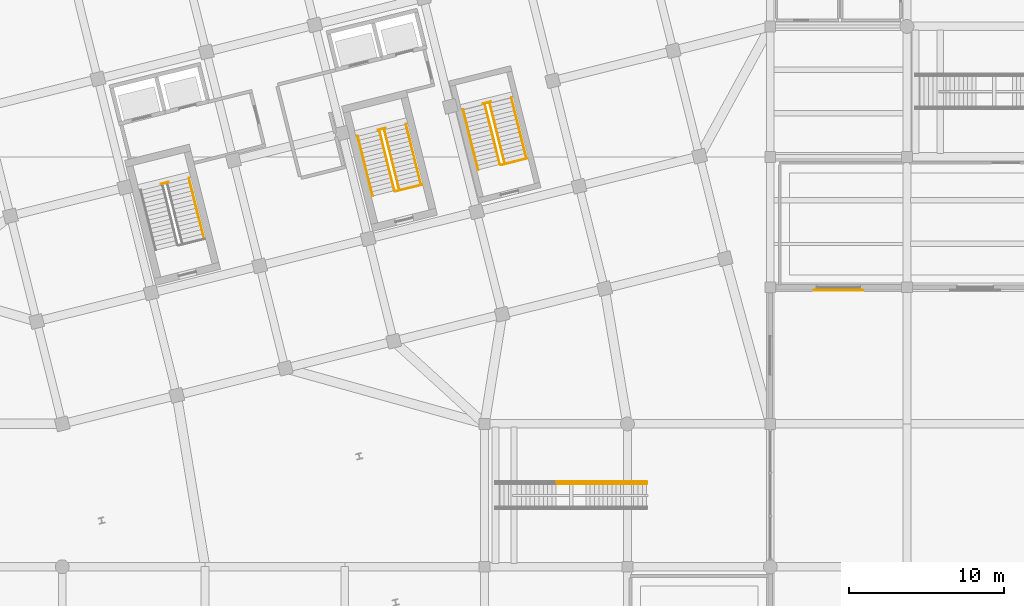
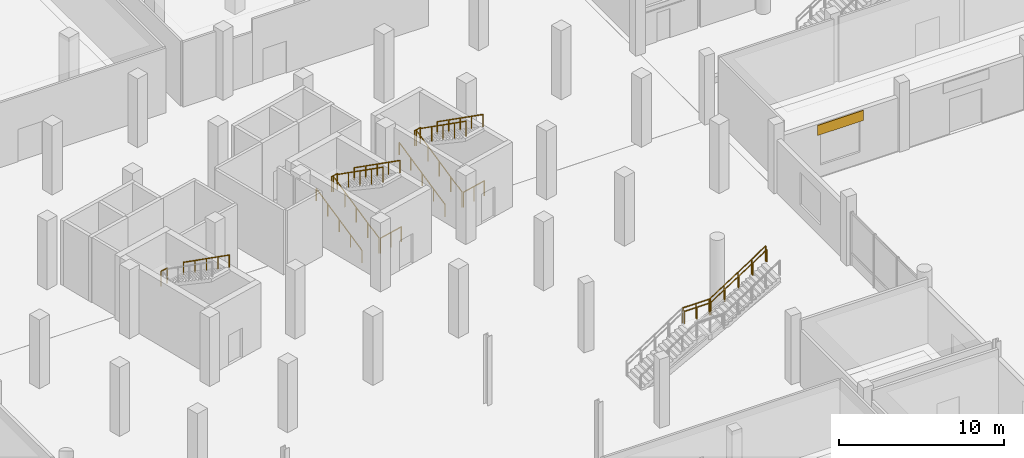
# One storey, part 69 of 73: 18 railings, 1 covering.
"""IFC4 building model written with IfcOpenShell, lengths in metres."""

from ifc_helpers import new_model, si_unit, direction, frame, origin, origin_2d, place, context, subcontext, project, spatial, rectangle, circle, extrude, material, layer, layer_set, type_object, element, save


model = new_model("IFC4")

# Units and contexts
model_context = context("Model", 3, precision=1e-05, world=origin(), true_north=direction((0.0, 1.0)))
body_context = subcontext(model_context, "Body", "Model", "MODEL_VIEW")
ifc_project = project(units=[si_unit("LENGTHUNIT", "METRE"), si_unit("AREAUNIT", "SQUARE_METRE"), si_unit("VOLUMEUNIT", "CUBIC_METRE"), si_unit("PLANEANGLEUNIT", "RADIAN"), si_unit("MASSUNIT", "GRAM", prefix="KILO")], contexts=[model_context])

# Site, building, storey
site_placement = place(None, origin())
site = spatial("IfcSite", under=ifc_project, at=site_placement, CompositionType="ELEMENT")
building_placement = place(site_placement, origin())
building = spatial("IfcBuilding", under=site, at=building_placement, Name="Meriwether Solvik Hall", CompositionType="ELEMENT")
storey_placement = place(building_placement, origin())
storey = spatial("IfcBuildingStorey", under=building, at=storey_placement, Name="L00", CompositionType="ELEMENT", Elevation=0.0)

# Covering
ifc_material_1 = material(Name="Glazed Extruded Terracotta Ceramic", Category="masonry")
ifc_layer_1 = layer(ifc_material_1, 0.044921875)
ifc_layer_set_1 = layer_set([ifc_layer_1], Name="Glazed Extruded Terracotta Ceramic")
covering_type = type_object("IfcCoveringType", Name="COV-CLAD-TERRA", PredefinedType="CLADDING", material=ifc_layer_set_1)
covering_placement = place(storey_placement, frame((118.60009765625, 49.8125, 3.139892578125), z_axis=(0.0, 0.0, 1.0), x_axis=(-1.0, 0.0, 0.0)))
element("IfcCovering", 1, at=covering_placement, inside=storey, type_object=covering_type, Name="L00 Facade Cladding XF_13_12", PredefinedType="CLADDING", context=body_context, shape_type="SweptSolid", body=[
    extrude(rectangle(XDim=3.199951171875, YDim=0.044921875, at=origin_2d()), origin(), (0.0, 0.0, 1.0), 0.75),
])

# Railings
ifc_material_2 = material(Name="Steel A36 Galvanised", Category="steel")
ifc_layer_2 = layer(ifc_material_2, 0.054931640625)
ifc_layer_set_2 = layer_set([ifc_layer_2], Name="Steel A36 Galvanised")
railing_type_1 = type_object("IfcRailingType", Name="RAIL-STR-GUARD", PredefinedType="GUARDRAIL", material=ifc_layer_set_2)
railing_1_placement = place(storey_placement, frame((74.9521484375, 56.6455078125, 2.550048828125)))
element("IfcRailing", 2, at=railing_1_placement, inside=storey, type_object=railing_type_1, Name="Stair ST-01 Landing Guardrail (L00)", PredefinedType="GUARDRAIL", context=body_context, shape_type="SweptSolid", body=[
    extrude(circle(Radius=0.02392578125, at=origin_2d()), frame((0.0, 0.0, 1.09619140625), z_axis=(0.970343250308, 0.241731207299, 0.0), x_axis=(-0.241731207299, 0.970343250308, 0.0)), (0.0, 0.0, 1.0), 0.5),
    extrude(circle(Radius=0.02099609375, at=origin_2d()), origin(), (0.0, 0.0, 1.0), 1.072021484375),
    extrude(circle(Radius=0.02099609375, at=origin_2d()), frame((0.485107421875, 0.120849609375, 0.0)), (0.0, 0.0, 1.0), 1.072021484375),
])
railing_2_placement = place(storey_placement, frame((88.92431640625, 60.129150390625, 2.550048828125)))
element("IfcRailing", 3, at=railing_2_placement, inside=storey, type_object=railing_type_1, Name="Stair ST-02 Landing Guardrail (L00)", PredefinedType="GUARDRAIL", context=body_context, shape_type="SweptSolid", body=[
    extrude(circle(Radius=0.02392578125, at=origin_2d()), frame((0.0, 0.0, 1.09619140625), z_axis=(0.970228607419, 0.242190935722, 0.0), x_axis=(-0.242190935722, 0.970228607419, 0.0)), (0.0, 0.0, 1.0), 0.5),
    extrude(circle(Radius=0.02099609375, at=origin_2d()), origin(), (0.0, 0.0, 1.0), 1.072021484375),
    extrude(circle(Radius=0.02099609375, at=origin_2d()), frame((0.485107421875, 0.12109375, 0.0)), (0.0, 0.0, 1.0), 1.072021484375),
])
railing_3_placement = place(storey_placement, frame((90.064208984375, 56.177490234375, 0.0)))
element("IfcRailing", 4, at=railing_3_placement, inside=storey, type_object=railing_type_1, Name="Stair ST-02 Well Guardrail (L00)", PredefinedType="GUARDRAIL", context=body_context, shape_type="SweptSolid", body=[
    extrude(circle(Radius=0.02392578125, at=origin_2d()), frame((0.0, 0.0, 1.09619140625), z_axis=(0.970298223594, 0.241911879182, 0.0), x_axis=(-0.241911879182, 0.970298223594, 0.0)), (0.0, 0.0, 1.0), 1.75),
    extrude(circle(Radius=0.02099609375, at=origin_2d()), origin(), (0.0, 0.0, 1.0), 1.072021484375),
    extrude(circle(Radius=0.02099609375, at=origin_2d()), frame((0.84912109375, 0.211669921875, 0.0)), (0.0, 0.0, 1.0), 1.072021484375),
    extrude(circle(Radius=0.02099609375, at=origin_2d()), frame((1.697998046875, 0.42333984375, 0.0)), (0.0, 0.0, 1.0), 1.072021484375),
])
railing_4_placement = place(storey_placement, frame((89.991455078125, 56.22119140625, 0.0)))
element("IfcRailing", 5, at=railing_4_placement, inside=storey, type_object=railing_type_1, Name="Stair ST-02 Flight 1 Inner Guardrail (L00)", PredefinedType="GUARDRAIL", context=body_context, shape_type="SweptSolid", body=[
    extrude(circle(Radius=0.02392578125, at=origin_2d()), frame((0.0, 0.0, 1.09619140625), z_axis=(-0.203855519954, 0.817587464702, 0.538510598361), x_axis=(-0.970293478038, -0.24193091261, 0.0)), (0.0, 0.0, 1.0), 4.7353515625),
    extrude(circle(Radius=0.02099609375, at=origin_2d()), origin(), (0.0, 0.0, 1.0), 1.072021484375),
    extrude(circle(Radius=0.02099609375, at=origin_2d()), frame((-0.2412109375, 0.9677734375, 0.637451171875)), (0.0, 0.0, 1.0), 1.072021484375),
    extrude(circle(Radius=0.02099609375, at=origin_2d()), frame((-0.482666015625, 1.935791015625, 1.27490234375)), (0.0, 0.0, 1.0), 1.072021484375),
    extrude(circle(Radius=0.02099609375, at=origin_2d()), frame((-0.72412109375, 2.90380859375, 1.91259765625)), (0.0, 0.0, 1.0), 1.072021484375),
    extrude(circle(Radius=0.02099609375, at=origin_2d()), frame((-0.96533203125, 3.87158203125, 2.550048828125)), (0.0, 0.0, 1.0), 1.072021484375),
])
railing_5_placement = place(storey_placement, frame((89.336669921875, 60.170166015625, 2.550048828125)))
element("IfcRailing", 6, at=railing_5_placement, inside=storey, type_object=railing_type_1, Name="Stair ST-02 Flight 2 Inner Guardrail (L00)", PredefinedType="GUARDRAIL", context=body_context, shape_type="SweptSolid", body=[
    extrude(circle(Radius=0.02392578125, at=origin_2d()), frame((0.0, 0.0, 1.09619140625), z_axis=(0.203855519954, -0.817587464702, 0.538510598361), x_axis=(0.970293478038, 0.24193091261, 0.0)), (0.0, 0.0, 1.0), 4.7353515625),
    extrude(circle(Radius=0.02099609375, at=origin_2d()), origin(), (0.0, 0.0, 1.0), 1.072021484375),
    extrude(circle(Radius=0.02099609375, at=origin_2d()), frame((0.2412109375, -0.9677734375, 0.637451171875)), (0.0, 0.0, 1.0), 1.072021484375),
    extrude(circle(Radius=0.02099609375, at=origin_2d()), frame((0.482666015625, -1.935791015625, 1.27490234375)), (0.0, 0.0, 1.0), 1.072021484375),
    extrude(circle(Radius=0.02099609375, at=origin_2d()), frame((0.72412109375, -2.90380859375, 1.91259765625)), (0.0, 0.0, 1.0), 1.072021484375),
    extrude(circle(Radius=0.02099609375, at=origin_2d()), frame((0.96533203125, -3.87158203125, 2.550048828125)), (0.0, 0.0, 1.0), 1.072021484375),
])
railing_6_placement = place(storey_placement, frame((95.71630859375, 61.82275390625, 2.550048828125)))
element("IfcRailing", 7, at=railing_6_placement, inside=storey, type_object=railing_type_1, Name="Stair ST-03 Landing Guardrail (L00)", PredefinedType="GUARDRAIL", context=body_context, shape_type="SweptSolid", body=[
    extrude(circle(Radius=0.02392578125, at=origin_2d()), frame((0.0, 0.0, 1.09619140625), z_axis=(0.970371766029, 0.241616712366, 0.0), x_axis=(-0.241616712366, 0.970371766029, 0.0)), (0.0, 0.0, 1.0), 0.500244140625),
    extrude(circle(Radius=0.02099609375, at=origin_2d()), origin(), (0.0, 0.0, 1.0), 1.072021484375),
    extrude(circle(Radius=0.02099609375, at=origin_2d()), frame((0.4853515625, 0.120849609375, 0.0)), (0.0, 0.0, 1.0), 1.072021484375),
])
railing_7_placement = place(storey_placement, frame((96.856201171875, 57.87109375, 0.0)))
element("IfcRailing", 8, at=railing_7_placement, inside=storey, type_object=railing_type_1, Name="Stair ST-03 Well Guardrail (L00)", PredefinedType="GUARDRAIL", context=body_context, shape_type="SweptSolid", body=[
    extrude(circle(Radius=0.02392578125, at=origin_2d()), frame((0.0, 0.0, 1.09619140625), z_axis=(0.970298223594, 0.241911879182, 0.0), x_axis=(-0.241911879182, 0.970298223594, 0.0)), (0.0, 0.0, 1.0), 1.75),
    extrude(circle(Radius=0.02099609375, at=origin_2d()), origin(), (0.0, 0.0, 1.0), 1.072021484375),
    extrude(circle(Radius=0.02099609375, at=origin_2d()), frame((0.84912109375, 0.211669921875, 0.0)), (0.0, 0.0, 1.0), 1.072021484375),
    extrude(circle(Radius=0.02099609375, at=origin_2d()), frame((1.697998046875, 0.42333984375, 0.0)), (0.0, 0.0, 1.0), 1.072021484375),
])
railing_8_placement = place(storey_placement, frame((96.783447265625, 57.914794921875, 0.0)))
element("IfcRailing", 9, at=railing_8_placement, inside=storey, type_object=railing_type_1, Name="Stair ST-03 Flight 1 Inner Guardrail (L00)", PredefinedType="GUARDRAIL", context=body_context, shape_type="SweptSolid", body=[
    extrude(circle(Radius=0.02392578125, at=origin_2d()), frame((0.0, 0.0, 1.09619140625), z_axis=(-0.203814696265, 0.817578962479, 0.538538958384), x_axis=(-0.970304259734, -0.241887667196, 0.0)), (0.0, 0.0, 1.0), 4.735107421875),
    extrude(circle(Radius=0.02099609375, at=origin_2d()), origin(), (0.0, 0.0, 1.0), 1.072021484375),
    extrude(circle(Radius=0.02099609375, at=origin_2d()), frame((-0.2412109375, 0.9677734375, 0.637451171875)), (0.0, 0.0, 1.0), 1.072021484375),
    extrude(circle(Radius=0.02099609375, at=origin_2d()), frame((-0.482421875, 1.935546875, 1.27490234375)), (0.0, 0.0, 1.0), 1.072021484375),
    extrude(circle(Radius=0.02099609375, at=origin_2d()), frame((-0.723876953125, 2.903564453125, 1.91259765625)), (0.0, 0.0, 1.0), 1.072021484375),
    extrude(circle(Radius=0.02099609375, at=origin_2d()), frame((-0.965087890625, 3.871337890625, 2.550048828125)), (0.0, 0.0, 1.0), 1.072021484375),
])
railing_9_placement = place(storey_placement, frame((96.128662109375, 61.863525390625, 2.550048828125)))
element("IfcRailing", 10, at=railing_9_placement, inside=storey, type_object=railing_type_1, Name="Stair ST-03 Flight 2 Inner Guardrail (L00)", PredefinedType="GUARDRAIL", context=body_context, shape_type="SweptSolid", body=[
    extrude(circle(Radius=0.02392578125, at=origin_2d()), frame((0.0, 0.0, 1.09619140625), z_axis=(0.203864113181, -0.817570369931, 0.538533298476), x_axis=(0.970289896446, 0.241945276569, 0.0)), (0.0, 0.0, 1.0), 4.735107421875),
    extrude(circle(Radius=0.02099609375, at=origin_2d()), origin(), (0.0, 0.0, 1.0), 1.072021484375),
    extrude(circle(Radius=0.02099609375, at=origin_2d()), frame((0.2412109375, -0.9677734375, 0.637451171875)), (0.0, 0.0, 1.0), 1.072021484375),
    extrude(circle(Radius=0.02099609375, at=origin_2d()), frame((0.482666015625, -1.935546875, 1.27490234375)), (0.0, 0.0, 1.0), 1.072021484375),
    extrude(circle(Radius=0.02099609375, at=origin_2d()), frame((0.72412109375, -2.903564453125, 1.91259765625)), (0.0, 0.0, 1.0), 1.072021484375),
    extrude(circle(Radius=0.02099609375, at=origin_2d()), frame((0.96533203125, -3.871337890625, 2.550048828125)), (0.0, 0.0, 1.0), 1.072021484375),
])
railing_10_placement = place(storey_placement, frame((100.451904296875, 37.469970703125, 2.550048828125)))
element("IfcRailing", 11, at=railing_10_placement, inside=storey, type_object=railing_type_1, Name="Stair ST-AT1 Guardrail R 2", PredefinedType="GUARDRAIL", context=body_context, shape_type="SweptSolid", body=[
    extrude(circle(Radius=0.02392578125, at=origin_2d()), frame((0.0, 0.0, 1.09619140625), z_axis=(1.0, 0.0, 0.0), x_axis=(0.0, 1.0, 0.0)), (0.0, 0.0, 1.0), 1.836181640625),
    extrude(circle(Radius=0.02099609375, at=origin_2d()), origin(), (0.0, 0.0, 1.0), 1.072021484375),
    extrude(circle(Radius=0.02099609375, at=origin_2d()), frame((0.91796875, 0.0, 0.0)), (0.0, 0.0, 1.0), 1.072021484375),
    extrude(circle(Radius=0.02099609375, at=origin_2d()), frame((1.836181640625, 0.0, 0.0)), (0.0, 0.0, 1.0), 1.072021484375),
])
railing_11_placement = place(storey_placement, frame((102.35205078125, 37.469970703125, 2.57080078125)))
element("IfcRailing", 12, at=railing_11_placement, inside=storey, type_object=railing_type_1, Name="Stair ST-AT1 Guardrail R 3", PredefinedType="GUARDRAIL", context=body_context, shape_type="SweptSolid", body=[
    extrude(circle(Radius=0.02392578125, at=origin_2d()), frame((0.0, 0.0, 1.09619140625), z_axis=(0.838233101087, 0.0, 0.545312083345), x_axis=(0.0, 1.0, 0.0)), (0.0, 0.0, 1.0), 4.63818359375),
    extrude(circle(Radius=0.02099609375, at=origin_2d()), origin(), (0.0, 0.0, 1.0), 1.072021484375),
    extrude(circle(Radius=0.02099609375, at=origin_2d()), frame((0.971923828125, 0.0, 0.63232421875)), (0.0, 0.0, 1.0), 1.072021484375),
    extrude(circle(Radius=0.02099609375, at=origin_2d()), frame((1.94384765625, 0.0, 1.2646484375)), (0.0, 0.0, 1.0), 1.072021484375),
    extrude(circle(Radius=0.02099609375, at=origin_2d()), frame((2.916015625, 0.0, 1.89697265625)), (0.0, 0.0, 1.0), 1.072021484375),
    extrude(circle(Radius=0.02099609375, at=origin_2d()), frame((3.887939453125, 0.0, 2.529296875)), (0.0, 0.0, 1.0), 1.072021484375),
])
ifc_material_3 = material(Name="Stainless Steel AISI 316", Category="steel")
ifc_layer_3 = layer(ifc_material_3, 0.044921875)
ifc_layer_set_3 = layer_set([ifc_layer_3], Name="Stainless Steel AISI 316")
railing_type_2 = type_object("IfcRailingType", Name="RAIL-STR-HAND", PredefinedType="HANDRAIL", material=ifc_layer_set_3)
railing_12_placement = place(storey_placement, frame((76.76171875, 57.034912109375, 2.550048828125)))
element("IfcRailing", 13, at=railing_12_placement, inside=storey, type_object=railing_type_2, Name="Stair ST-01 Upper Handrail (L00)", PredefinedType="HANDRAIL", context=body_context, shape_type="SweptSolid", body=[
    extrude(circle(Radius=0.02392578125, at=origin_2d()), frame((0.0, 0.0, 0.89599609375), z_axis=(0.203820106691, -0.817597149371, 0.538509299315), x_axis=(0.970304015563, 0.24188864666, 0.0)), (0.0, 0.0, 1.0), 4.7421875),
    extrude(circle(Radius=0.02099609375, at=origin_2d()), origin(), (0.0, 0.0, 1.0), 0.871826171875),
    extrude(circle(Radius=0.02099609375, at=origin_2d()), frame((0.24169921875, -0.96923828125, 0.638427734375)), (0.0, 0.0, 1.0), 0.871826171875),
    extrude(circle(Radius=0.02099609375, at=origin_2d()), frame((0.4833984375, -1.9384765625, 1.27685546875)), (0.0, 0.0, 1.0), 0.871826171875),
    extrude(circle(Radius=0.02099609375, at=origin_2d()), frame((0.724853515625, -2.907958984375, 1.915283203125)), (0.0, 0.0, 1.0), 0.871826171875),
    extrude(circle(Radius=0.02099609375, at=origin_2d()), frame((0.966552734375, -3.877197265625, 2.5537109375)), (0.0, 0.0, 1.0), 0.871826171875),
])
railing_13_placement = place(storey_placement, frame((88.59423828125, 55.872802734375, 0.0)))
element("IfcRailing", 14, at=railing_13_placement, inside=storey, type_object=railing_type_2, Name="Stair ST-02 Lower Handrail (L00)", PredefinedType="HANDRAIL", context=body_context, shape_type="SweptSolid", body=[
    extrude(circle(Radius=0.02392578125, at=origin_2d()), frame((0.0, 0.0, 0.89599609375), z_axis=(-0.203869449911, 0.8175885692, 0.538503647997), x_axis=(-0.970289673933, -0.24194616893, 0.0)), (0.0, 0.0, 1.0), 4.7421875),
    extrude(circle(Radius=0.02099609375, at=origin_2d()), origin(), (0.0, 0.0, 1.0), 0.871826171875),
    extrude(circle(Radius=0.02099609375, at=origin_2d()), frame((-0.24169921875, 0.96923828125, 0.638427734375)), (0.0, 0.0, 1.0), 0.871826171875),
    extrude(circle(Radius=0.02099609375, at=origin_2d()), frame((-0.4833984375, 1.9384765625, 1.27685546875)), (0.0, 0.0, 1.0), 0.871826171875),
    extrude(circle(Radius=0.02099609375, at=origin_2d()), frame((-0.72509765625, 2.907958984375, 1.915283203125)), (0.0, 0.0, 1.0), 0.871826171875),
    extrude(circle(Radius=0.02099609375, at=origin_2d()), frame((-0.966796875, 3.877197265625, 2.5537109375)), (0.0, 0.0, 1.0), 0.871826171875),
])
railing_14_placement = place(storey_placement, frame((90.73388671875, 60.5185546875, 2.550048828125)))
element("IfcRailing", 15, at=railing_14_placement, inside=storey, type_object=railing_type_2, Name="Stair ST-02 Upper Handrail (L00)", PredefinedType="HANDRAIL", context=body_context, shape_type="SweptSolid", body=[
    extrude(circle(Radius=0.02392578125, at=origin_2d()), frame((0.0, 0.0, 0.89599609375), z_axis=(0.203869449911, -0.8175885692, 0.538503647997), x_axis=(0.970289673933, 0.24194616893, 0.0)), (0.0, 0.0, 1.0), 4.7421875),
    extrude(circle(Radius=0.02099609375, at=origin_2d()), origin(), (0.0, 0.0, 1.0), 0.871826171875),
    extrude(circle(Radius=0.02099609375, at=origin_2d()), frame((0.24169921875, -0.96923828125, 0.638427734375)), (0.0, 0.0, 1.0), 0.871826171875),
    extrude(circle(Radius=0.02099609375, at=origin_2d()), frame((0.4833984375, -1.9384765625, 1.27685546875)), (0.0, 0.0, 1.0), 0.871826171875),
    extrude(circle(Radius=0.02099609375, at=origin_2d()), frame((0.72509765625, -2.907958984375, 1.915283203125)), (0.0, 0.0, 1.0), 0.871826171875),
    extrude(circle(Radius=0.02099609375, at=origin_2d()), frame((0.966796875, -3.877197265625, 2.5537109375)), (0.0, 0.0, 1.0), 0.871826171875),
])
railing_15_placement = place(storey_placement, frame((95.38623046875, 57.56640625, 0.0)))
element("IfcRailing", 16, at=railing_15_placement, inside=storey, type_object=railing_type_2, Name="Stair ST-03 Lower Handrail (L00)", PredefinedType="HANDRAIL", context=body_context, shape_type="SweptSolid", body=[
    extrude(circle(Radius=0.02392578125, at=origin_2d()), frame((0.0, 0.0, 0.89599609375), z_axis=(-0.203820106691, 0.817597149371, 0.538509299315), x_axis=(-0.970304015563, -0.24188864666, 0.0)), (0.0, 0.0, 1.0), 4.7421875),
    extrude(circle(Radius=0.02099609375, at=origin_2d()), origin(), (0.0, 0.0, 1.0), 0.871826171875),
    extrude(circle(Radius=0.02099609375, at=origin_2d()), frame((-0.24169921875, 0.96923828125, 0.638427734375)), (0.0, 0.0, 1.0), 0.871826171875),
    extrude(circle(Radius=0.02099609375, at=origin_2d()), frame((-0.4833984375, 1.9384765625, 1.27685546875)), (0.0, 0.0, 1.0), 0.871826171875),
    extrude(circle(Radius=0.02099609375, at=origin_2d()), frame((-0.724853515625, 2.907958984375, 1.915283203125)), (0.0, 0.0, 1.0), 0.871826171875),
    extrude(circle(Radius=0.02099609375, at=origin_2d()), frame((-0.966552734375, 3.877197265625, 2.5537109375)), (0.0, 0.0, 1.0), 0.871826171875),
])
railing_16_placement = place(storey_placement, frame((97.52587890625, 62.2119140625, 2.550048828125)))
element("IfcRailing", 17, at=railing_16_placement, inside=storey, type_object=railing_type_2, Name="Stair ST-03 Upper Handrail (L00)", PredefinedType="HANDRAIL", context=body_context, shape_type="SweptSolid", body=[
    extrude(circle(Radius=0.02392578125, at=origin_2d()), frame((0.0, 0.0, 0.89599609375), z_axis=(0.203869449911, -0.8175885692, 0.538503647997), x_axis=(0.970289673933, 0.24194616893, 0.0)), (0.0, 0.0, 1.0), 4.7421875),
    extrude(circle(Radius=0.02099609375, at=origin_2d()), origin(), (0.0, 0.0, 1.0), 0.871826171875),
    extrude(circle(Radius=0.02099609375, at=origin_2d()), frame((0.24169921875, -0.96923828125, 0.638427734375)), (0.0, 0.0, 1.0), 0.871826171875),
    extrude(circle(Radius=0.02099609375, at=origin_2d()), frame((0.4833984375, -1.9384765625, 1.27685546875)), (0.0, 0.0, 1.0), 0.871826171875),
    extrude(circle(Radius=0.02099609375, at=origin_2d()), frame((0.72509765625, -2.907958984375, 1.915283203125)), (0.0, 0.0, 1.0), 0.871826171875),
    extrude(circle(Radius=0.02099609375, at=origin_2d()), frame((0.966796875, -3.877197265625, 2.5537109375)), (0.0, 0.0, 1.0), 0.871826171875),
])
railing_17_placement = place(storey_placement, frame((100.485107421875, 37.35009765625, 2.550048828125)))
element("IfcRailing", 18, at=railing_17_placement, inside=storey, type_object=railing_type_2, Name="Stair ST-AT1 Handrail R 2", PredefinedType="HANDRAIL", context=body_context, shape_type="SweptSolid", body=[
    extrude(circle(Radius=0.02392578125, at=origin_2d()), frame((0.0, 0.0, 0.89599609375), z_axis=(1.0, 0.0, 0.0), x_axis=(0.0, 1.0, 0.0)), (0.0, 0.0, 1.0), 1.769775390625),
    extrude(circle(Radius=0.02099609375, at=origin_2d()), origin(), (0.0, 0.0, 1.0), 0.871826171875),
    extrude(circle(Radius=0.02099609375, at=origin_2d()), frame((0.884765625, 0.0, 0.0)), (0.0, 0.0, 1.0), 0.871826171875),
    extrude(circle(Radius=0.02099609375, at=origin_2d()), frame((1.769775390625, 0.0, 0.0)), (0.0, 0.0, 1.0), 0.871826171875),
])
railing_18_placement = place(storey_placement, frame((102.320068359375, 37.35009765625, 2.550048828125)))
element("IfcRailing", 19, at=railing_18_placement, inside=storey, type_object=railing_type_2, Name="Stair ST-AT1 Handrail R 3", PredefinedType="HANDRAIL", context=body_context, shape_type="SweptSolid", body=[
    extrude(circle(Radius=0.02392578125, at=origin_2d()), frame((0.0, 0.0, 0.89599609375), z_axis=(0.83825300136, 0.0, 0.545281492178), x_axis=(0.0, 1.0, 0.0)), (0.0, 0.0, 1.0), 4.683349609375),
    extrude(circle(Radius=0.02099609375, at=origin_2d()), origin(), (0.0, 0.0, 1.0), 0.871826171875),
    extrude(circle(Radius=0.02099609375, at=origin_2d()), frame((0.9814453125, 0.0, 0.638427734375)), (0.0, 0.0, 1.0), 0.871826171875),
    extrude(circle(Radius=0.02099609375, at=origin_2d()), frame((1.962890625, 0.0, 1.27685546875)), (0.0, 0.0, 1.0), 0.871826171875),
    extrude(circle(Radius=0.02099609375, at=origin_2d()), frame((2.9443359375, 0.0, 1.915283203125)), (0.0, 0.0, 1.0), 0.871826171875),
    extrude(circle(Radius=0.02099609375, at=origin_2d()), frame((3.92578125, 0.0, 2.5537109375)), (0.0, 0.0, 1.0), 0.871826171875),
])

save(model, "model.ifc")
